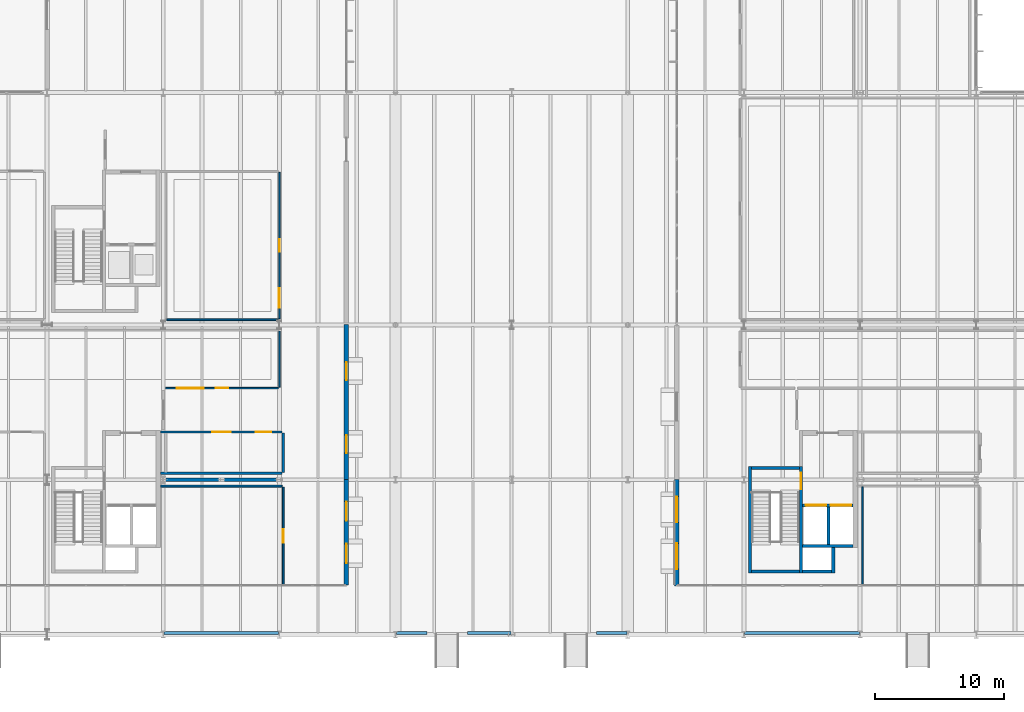
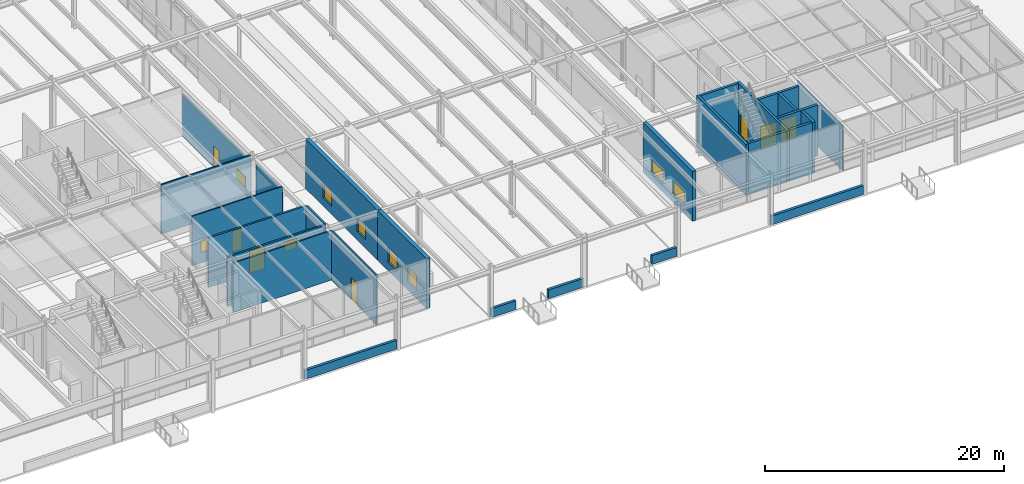
# One storey, part 121 of 143: 28 walls, 9 windows, 7 doors, 16 openings.
"""IFC4 building model written with IfcOpenShell, lengths in metres."""

import ifcopenshell
import ifcopenshell.guid

model = None  # the IFC model being written
_history = None  # IfcOwnerHistory: only IFC2X3 demands one
_inside = {}  # id of a spatial element -> (the spatial element, [elements in it])
_under = {}  # id of a project, library or spatial element -> (it, [spatial elements below it])
_declared = {}  # id of a project -> (the project, [libraries it declares])
_typed = {}  # id of a type object -> (the type object, [elements of that type])
_made_of = {}  # id of a material, layer set ... -> (it, [elements and type objects made of it])


def new_model(schema):
    """Start an empty IFC model of exactly this schema.

    Asked for "IFC4X3", IfcOpenShell would pick the latest addendum, in which some entities
    have other attributes; the version numbers below select the first issue.
    IFC2X3 requires an IfcOwnerHistory on every rooted entity: one is made here for all.
    """
    global model, _history
    if schema == "IFC4X3":
        model = ifcopenshell.file(schema_version=(4, 3, 0, 0))
    else:
        model = ifcopenshell.file(schema=schema)
    _inside.clear()
    _under.clear()
    _declared.clear()
    _typed.clear()
    _made_of.clear()
    _history = None
    if model.schema == "IFC2X3":
        org = make("IfcOrganization", Name="unknown")
        user = make(
            "IfcPersonAndOrganization",
            ThePerson=make("IfcPerson", FamilyName="unknown"),
            TheOrganization=org,
        )
        app = make(
            "IfcApplication",
            ApplicationDeveloper=org,
            Version="unknown",
            ApplicationFullName="unknown",
            ApplicationIdentifier="unknown",
        )
        _history = make(
            "IfcOwnerHistory",
            OwningUser=user,
            OwningApplication=app,
            ChangeAction="ADDED",
            CreationDate=0,
        )
    return model


def make(cls, **values):
    """One entity of the class cls with the attributes given. An attribute that is None is left unset."""
    return model.create_entity(
        cls, **{name: value for name, value in values.items() if value is not None}
    )


def rooted(cls, **values):
    """An entity with a GlobalId (a new one), such as an element, a storey or a relation."""
    return make(cls, GlobalId=ifcopenshell.guid.new(), OwnerHistory=_history, **values)


def si_unit(unit_type, name, prefix=None):
    """IfcSIUnit, for example si_unit("LENGTHUNIT", "METRE", prefix="MILLI")."""
    return make("IfcSIUnit", UnitType=unit_type, Prefix=prefix, Name=name)


def assignment(units):
    """IfcUnitAssignment: the units of a project."""
    return None if units is None else make("IfcUnitAssignment", Units=units)


def point(xyz):
    """IfcCartesianPoint."""
    return None if xyz is None else make("IfcCartesianPoint", Coordinates=xyz)


def direction(xyz):
    """IfcDirection."""
    return None if xyz is None else make("IfcDirection", DirectionRatios=xyz)


def frame(location, z_axis=None, x_axis=None):
    """IfcAxis2Placement3D, a coordinate frame: its origin and axes. An axis left out is left unset."""
    return make(
        "IfcAxis2Placement3D",
        Location=point(location),
        Axis=direction(z_axis),
        RefDirection=direction(x_axis),
    )


def frame_2d(location, x_axis=None):
    """IfcAxis2Placement2D, a coordinate frame in the plane: its origin and x axis."""
    return make(
        "IfcAxis2Placement2D", Location=point(location), RefDirection=direction(x_axis)
    )


def origin():
    """The frame at (0, 0, 0) with its axes left unset."""
    return frame((0.0, 0.0, 0.0))


def place(relative_to, where):
    """IfcLocalPlacement: puts the frame where relative to a parent placement (None: the world)."""
    return make(
        "IfcLocalPlacement", PlacementRelTo=relative_to, RelativePlacement=where
    )


def context(
    kind, dimensions, precision=None, world=None, true_north=None, identifier=None
):
    """IfcGeometricRepresentationContext, for example the 3D "Model" context."""
    return make(
        "IfcGeometricRepresentationContext",
        ContextIdentifier=identifier,
        ContextType=kind,
        CoordinateSpaceDimension=dimensions,
        Precision=precision,
        WorldCoordinateSystem=world,
        TrueNorth=true_north,
    )


def subcontext(parent, identifier, kind, view, scale=None):
    """IfcGeometricRepresentationSubContext, for example "Body" below "Model"."""
    return make(
        "IfcGeometricRepresentationSubContext",
        ContextIdentifier=identifier,
        ContextType=kind,
        ParentContext=parent,
        TargetScale=scale,
        TargetView=view,
    )


def project(units=None, contexts=None):
    """IfcProject with its units and contexts."""
    return rooted(
        "IfcProject",
        Name="project",
        RepresentationContexts=contexts,
        UnitsInContext=assignment(units),
    )


def spatial(cls, under=None, at=None, **own):
    """A site, building, storey or space (cls), placed at a placement, below another one or the project."""
    s = rooted(cls, ObjectPlacement=at, **own)
    if under is not None:
        _under.setdefault(under.id(), (under, []))[1].append(s)
    return s


def profile(cls, at=None, kind="AREA", **sizes):
    """A parametric profile (cls). Its sizes go by their IFC names, for example OverallWidth=200.0."""
    return make(cls, ProfileType=kind, Position=at, **sizes)


def rectangle(**sizes):
    """IfcRectangleProfileDef."""
    return profile("IfcRectangleProfileDef", **sizes)


def extrude(swept, where, along, depth):
    """IfcExtrudedAreaSolid: the profile swept, set in the frame where, extruded along a direction by depth."""
    return make(
        "IfcExtrudedAreaSolid",
        SweptArea=swept,
        Position=where,
        ExtrudedDirection=direction(along),
        Depth=depth,
    )


def shape(context_of_items, identifier, shape_type, items):
    """IfcShapeRepresentation: the items that make up one representation, for example the "Body"."""
    return make(
        "IfcShapeRepresentation",
        ContextOfItems=context_of_items,
        RepresentationIdentifier=identifier,
        RepresentationType=shape_type,
        Items=items,
    )


def material(Name=None, Category=None):
    """IfcMaterial."""
    return make("IfcMaterial", Name=Name, Category=Category)


def layer(
    of_material, thickness, ventilated=None, Name=None, Category=None, Priority=None
):
    """IfcMaterialLayer: one layer of a wall or slab, of a material (None: an air gap)."""
    return make(
        "IfcMaterialLayer",
        Material=of_material,
        LayerThickness=thickness,
        IsVentilated=ventilated,
        Name=Name,
        Category=Category,
        Priority=Priority,
    )


def layer_set(layers, Name=None):
    """IfcMaterialLayerSet."""
    return make("IfcMaterialLayerSet", MaterialLayers=layers, LayerSetName=Name)


def made_of(thing, what):
    """Note that an element or type object is made of a material, layer set ...; save() writes the relation."""
    if what is not None:
        _made_of.setdefault(what.id(), (what, []))[1].append(thing)
    return thing


def type_object(cls, material=None, **own):
    """A type object (cls), such as IfcWallType, which elements share."""
    return made_of(rooted(cls, **own), material)


def element(
    cls,
    number,
    at=None,
    inside=None,
    cuts=None,
    type_object=None,
    material=None,
    context=None,
    identifier="Body",
    shape_type=None,
    held_by="IfcProductDefinitionShape",
    body=None,
    shapes=None,
    **own,
):
    """One element of the class cls, such as IfcWall. Its Tag is "e" and its number.

    at: its placement. inside: the storey or other place that contains it. cuts: it is an
    opening in that element (IfcRelVoidsElement). A single representation is given by context,
    identifier, shape_type and body (its items); several are given by shapes. held_by: the class
    of the entity that holds the representations. save() writes the other relations.
    """
    e = rooted(cls, Tag="e%d" % number, ObjectPlacement=at, **own)
    if body is not None:
        shapes = [shape(context, identifier, shape_type, body)]
    if shapes is not None:
        e.Representation = make(held_by, Representations=shapes)
    if inside is not None:
        _inside.setdefault(inside.id(), (inside, []))[1].append(e)
    if cuts is not None:
        rooted(
            "IfcRelVoidsElement", RelatingBuildingElement=cuts, RelatedOpeningElement=e
        )
    if type_object is not None:
        _typed.setdefault(type_object.id(), (type_object, []))[1].append(e)
    return made_of(e, material)


def fill(opening, filler):
    """IfcRelFillsElement: the door or window that sits in an opening."""
    return rooted(
        "IfcRelFillsElement",
        RelatingOpeningElement=opening,
        RelatedBuildingElement=filler,
    )


def aggregate(whole, parts):
    """IfcRelAggregates: a whole, such as a stair, and the parts it consists of."""
    return rooted("IfcRelAggregates", RelatingObject=whole, RelatedObjects=parts)


def save(model, path):
    """Write the relations noted so far, then the file.

    IfcRelAggregates (storeys below a building ...), IfcRelContainedInSpatialStructure (elements
    in a storey), IfcRelDefinesByType, IfcRelAssociatesMaterial and IfcRelDeclares: one each for
    every whole, place, type object, material and project.
    """
    for whole, parts in _under.values():
        aggregate(whole, parts)
    for where, things in _inside.values():
        rooted(
            "IfcRelContainedInSpatialStructure",
            RelatedElements=things,
            RelatingStructure=where,
        )
    for kind, things in _typed.values():
        rooted("IfcRelDefinesByType", RelatedObjects=things, RelatingType=kind)
    for what, things in _made_of.values():
        rooted("IfcRelAssociatesMaterial", RelatedObjects=things, RelatingMaterial=what)
    for by, libraries in _declared.values():
        rooted("IfcRelDeclares", RelatingContext=by, RelatedDefinitions=libraries)
    model.write(path)


model = new_model("IFC4")

# Units and contexts
model_context = context("Model", 3, precision=1e-05, world=origin(), true_north=direction((0.0, 1.0)))
body_context = subcontext(model_context, "Body", "Model", "MODEL_VIEW")
ifc_project = project(units=[si_unit("LENGTHUNIT", "METRE"), si_unit("AREAUNIT", "SQUARE_METRE"), si_unit("VOLUMEUNIT", "CUBIC_METRE"), si_unit("PLANEANGLEUNIT", "RADIAN"), si_unit("MASSUNIT", "GRAM", prefix="KILO")], contexts=[model_context])

# Site, building, storey
site_placement = place(None, origin())
site = spatial("IfcSite", under=ifc_project, at=site_placement, CompositionType="ELEMENT")
building_placement = place(site_placement, origin())
building = spatial("IfcBuilding", under=site, at=building_placement, Name="Montelvaro Courts of Justice", CompositionType="ELEMENT")
storey_placement = place(building_placement, origin())
storey = spatial("IfcBuildingStorey", under=building, at=storey_placement, Name="L00", CompositionType="ELEMENT", Elevation=0.0)

# Wall, opening, door
ifc_material_1 = material(Name="Gypsum board on metal stud")
ifc_layer_1 = layer(ifc_material_1, 0.14990234375)
ifc_layer_set_1 = layer_set([ifc_layer_1], Name="Gypsum board on metal stud")
wall_type_1 = type_object("IfcWallType", Name="ChambersPartition_150", PredefinedType="PARTITIONING", material=ifc_layer_set_1)
wall_1_placement = place(storey_placement, frame((72.300048828125, 11.419921875, 0.0), z_axis=(0.0, 0.0, 1.0), x_axis=(0.0, -1.0, 0.0)))
wall_1 = element("IfcWall", 1, at=wall_1_placement, inside=storey, type_object=wall_type_1, Name="Interior Partition IW-04 (L00)", PredefinedType="PARTITIONING", context=body_context, shape_type="SweptSolid", body=[
    extrude(rectangle(XDim=7.544921875, YDim=0.14990234375, at=frame_2d((3.7724609375, 0.0))), origin(), (0.0, 0.0, 1.0), 5.0400390625),
])
opening_1_placement = place(wall_1_placement, frame((3.248046875, 0.0, 0.0)))
opening_1 = element("IfcOpeningElement", 2, at=opening_1_placement, cuts=wall_1, Name="Opening D-L00-046", PredefinedType="OPENING", context=body_context, shape_type="SweptSolid", body=[
    extrude(rectangle(XDim=1.050048828125, YDim=2.25, at=frame_2d((0.52490234375, 1.125))), frame((0.0, 0.08984375, 0.0), z_axis=(0.0, -1.0, 0.0), x_axis=(1.0, 0.0, 0.0)), (0.0, 0.0, 1.0), 0.1796875),
])
ifc_material_2 = material(Name="Acoustic oak timber veneer", Category="wood")
door_type_1 = type_object("IfcDoorType", Name="ChamberDoor_105x225", OperationType="NOTDEFINED", PredefinedType="DOOR", material=ifc_material_2)
door_1_placement = place(opening_1_placement, origin())
door_1 = element("IfcDoor", 3, at=door_1_placement, inside=storey, type_object=door_type_1, Name="Interior Door D-L00-046 (Public Cafe and Dining Room)", OperationType="SINGLE_SWING_RIGHT", OverallHeight=2.25, OverallWidth=1.050048828125, PredefinedType="DOOR", context=body_context, shape_type="SweptSolid", body=[
    extrude(rectangle(XDim=1.050048828125, YDim=2.25, at=frame_2d((0.52490234375, 1.125))), frame((0.0, 0.02490234375, 0.0), z_axis=(0.0, -1.0, 0.0), x_axis=(1.0, 0.0, 0.0)), (0.0, 0.0, 1.0), 0.050048828125),
])
fill(opening_1, door_1)

# Wall
wall_2_placement = place(storey_placement, frame((62.794921875, 11.5, 0.0), z_axis=(0.0, 0.0, 1.0), x_axis=(1.0, 0.0, 0.0)))
element("IfcWall", 4, at=wall_2_placement, inside=storey, type_object=wall_type_1, Name="Interior Partition IW-04 (L00)", PredefinedType="PARTITIONING", context=body_context, shape_type="SweptSolid", body=[
    extrude(rectangle(XDim=9.425048828125, YDim=0.14990234375, at=frame_2d((4.71240234375, 0.0))), origin(), (0.0, 0.0, 1.0), 5.0400390625),
])

# Wall, openings, door, window
ifc_material_3 = material(Name="Fire-rated gypsum and steel stud", Category="steel")
ifc_layer_2 = layer(ifc_material_3, 0.179931640625)
ifc_layer_set_2 = layer_set([ifc_layer_2], Name="Fire-rated gypsum and steel stud")
wall_type_2 = type_object("IfcWallType", Name="CorridorFireWall_180", PredefinedType="PARTITIONING", material=ifc_layer_set_2)
wall_3_placement = place(storey_placement, frame((62.794921875, 15.699951171875, 0.0), z_axis=(0.0, 0.0, 1.0), x_axis=(1.0, 0.0, 0.0)))
wall_3 = element("IfcWall", 5, at=wall_3_placement, inside=storey, type_object=wall_type_2, Name="Interior Partition IW-02 (L00)", PredefinedType="PARTITIONING", context=body_context, shape_type="SweptSolid", body=[
    extrude(rectangle(XDim=9.425048828125, YDim=0.179931640625, at=frame_2d((4.71240234375, 0.0))), origin(), (0.0, 0.0, 1.0), 5.0400390625),
])
opening_2_placement = place(wall_3_placement, frame((3.987060546875, 0.0, 0.0)))
opening_2 = element("IfcOpeningElement", 6, at=opening_2_placement, cuts=wall_3, Name="Opening D-L00-045", PredefinedType="OPENING", context=body_context, shape_type="SweptSolid", body=[
    extrude(rectangle(XDim=1.449951171875, YDim=2.300048828125, at=frame_2d((0.72509765625, 1.14990234375))), frame((0.0, 0.10498046875, 0.0), z_axis=(0.0, -1.0, 0.0), x_axis=(1.0, 0.0, 0.0)), (0.0, 0.0, 1.0), 0.209716796875),
])
opening_3_placement = place(wall_3_placement, frame((7.375, 0.0, 1.050048828125)))
opening_3 = element("IfcOpeningElement", 7, at=opening_3_placement, cuts=wall_3, Name="Opening WI-03", PredefinedType="OPENING", context=body_context, shape_type="SweptSolid", body=[
    extrude(rectangle(XDim=1.199951171875, YDim=1.0, at=frame_2d((0.60009765625, 0.5))), frame((0.0, 0.10498046875, 0.0), z_axis=(0.0, -1.0, 0.0), x_axis=(1.0, 0.0, 0.0)), (0.0, 0.0, 1.0), 0.209716796875),
])
ifc_material_4 = material(Name="Galvanised steel S355 security door", Category="steel")
door_type_2 = type_object("IfcDoorType", Name="ArchiveVaultDoor_145x230", OperationType="DOUBLE_DOOR_SINGLE_SWING", PredefinedType="DOOR", material=ifc_material_4)
door_2_placement = place(opening_2_placement, frame((1.449951171875, 0.0, 0.0), z_axis=(0.0, 0.0, 1.0), x_axis=(-1.0, 0.0, 0.0)))
door_2 = element("IfcDoor", 8, at=door_2_placement, inside=storey, type_object=door_type_2, Name="Interior Door D-L00-045 (Fire Command Centre)", OperationType="DOUBLE_DOOR_SINGLE_SWING", OverallHeight=2.300048828125, OverallWidth=1.449951171875, PredefinedType="DOOR", context=body_context, shape_type="SweptSolid", body=[
    extrude(rectangle(XDim=1.449951171875, YDim=2.300048828125, at=frame_2d((0.72509765625, 1.14990234375))), frame((0.0, 0.02490234375, 0.0), z_axis=(0.0, -1.0, 0.0), x_axis=(1.0, 0.0, 0.0)), (0.0, 0.0, 1.0), 0.050048828125),
])
fill(opening_2, door_2)
ifc_material_5 = material(Name="Acoustic laminated double glazing", Category="glass")
window_type_1 = type_object("IfcWindowType", Name="IntVision_120x100", PartitioningType="SINGLE_PANEL", PredefinedType="WINDOW", material=ifc_material_5)
window_1_placement = place(opening_3_placement, origin())
window_1 = element("IfcWindow", 9, at=window_1_placement, inside=storey, type_object=window_type_1, Name="Interior Vision Panel WI-027", OverallHeight=1.0, OverallWidth=1.199951171875, PartitioningType="SINGLE_PANEL", PredefinedType="WINDOW", context=body_context, shape_type="SweptSolid", body=[
    extrude(rectangle(XDim=1.199951171875, YDim=1.0, at=frame_2d((0.60009765625, 0.5))), frame((0.0, 0.030029296875, 0.0), z_axis=(0.0, -1.0, 0.0), x_axis=(1.0, 0.0, 0.0)), (0.0, 0.0, 1.0), 0.06005859375),
])
fill(opening_3, window_1)

# Walls
wall_4_placement = place(storey_placement, frame((72.300048828125, 15.6201171875, 0.0), z_axis=(0.0, 0.0, 1.0), x_axis=(0.0, -1.0, 0.0)))
element("IfcWall", 10, at=wall_4_placement, inside=storey, type_object=wall_type_2, Name="Interior Partition IW-02 (L00)", PredefinedType="PARTITIONING", context=body_context, shape_type="SweptSolid", body=[
    extrude(rectangle(XDim=3.0400390625, YDim=0.179931640625, at=frame_2d((1.52001953125, 0.0))), origin(), (0.0, 0.0, 1.0), 5.0400390625),
])
wall_5_placement = place(storey_placement, frame((72.219970703125, 12.5, 0.0), z_axis=(0.0, 0.0, 1.0), x_axis=(-1.0, 0.0, 0.0)))
element("IfcWall", 11, at=wall_5_placement, inside=storey, type_object=wall_type_2, Name="Interior Partition IW-02 (L00)", PredefinedType="PARTITIONING", context=body_context, shape_type="SweptSolid", body=[
    extrude(rectangle(XDim=9.425048828125, YDim=0.179931640625, at=frame_2d((4.71240234375, 0.0))), origin(), (0.0, 0.0, 1.0), 5.0400390625),
])

# Wall, openings, windows
ifc_material_6 = material(Name="Precast concrete C45/55", Category="concrete")
ifc_layer_3 = layer(ifc_material_6, 0.35009765625)
ifc_layer_set_3 = layer_set([ifc_layer_3], Name="Precast concrete C45/55")
wall_type_3 = type_object("IfcWallType", Name="ExtWall_Limestone_350", PredefinedType="SOLIDWALL", material=ifc_layer_set_3)
wall_6_placement = place(storey_placement, frame((77.199951171875, 3.840087890625, 0.0), z_axis=(0.0, 0.0, 1.0), x_axis=(0.0, 1.0, 0.0)))
wall_6 = element("IfcWall", 12, at=wall_6_placement, inside=storey, type_object=wall_type_3, Name="Exterior Facade Wall EW-03 (L00)", PredefinedType="SOLIDWALL", context=body_context, shape_type="SweptSolid", body=[
    extrude(rectangle(XDim=8.169921875, YDim=0.35009765625, at=frame_2d((4.0849609375, 0.0))), origin(), (0.0, 0.0, 1.0), 5.080078125),
])
opening_4_placement = place(wall_6_placement, frame((1.700927734375, 0.0, 0.85009765625)))
opening_4 = element("IfcOpeningElement", 13, at=opening_4_placement, cuts=wall_6, Name="Opening WE-16", PredefinedType="OPENING", context=body_context, shape_type="SweptSolid", body=[
    extrude(rectangle(XDim=1.5, YDim=1.5, at=frame_2d((0.75, 0.75))), frame((0.0, 0.18994140625, 0.0), z_axis=(0.0, -1.0, 0.0), x_axis=(1.0, 0.0, 0.0)), (0.0, 0.0, 1.0), 0.3798828125),
])
opening_5_placement = place(wall_6_placement, frame((4.968994140625, 0.0, 0.85009765625)))
opening_5 = element("IfcOpeningElement", 14, at=opening_5_placement, cuts=wall_6, Name="Opening WE-16", PredefinedType="OPENING", context=body_context, shape_type="SweptSolid", body=[
    extrude(rectangle(XDim=1.5, YDim=1.5, at=frame_2d((0.75, 0.75))), frame((0.0, 0.18994140625, 0.0), z_axis=(0.0, -1.0, 0.0), x_axis=(1.0, 0.0, 0.0)), (0.0, 0.0, 1.0), 0.3798828125),
])
ifc_material_7 = material(Name="Low-E solar control double glazing", Category="glass")
window_type_2 = type_object("IfcWindowType", Name="Win_Sq_150x150", PartitioningType="SINGLE_PANEL", PredefinedType="WINDOW", material=ifc_material_7)
window_2_placement = place(opening_4_placement, origin())
window_2 = element("IfcWindow", 15, at=window_2_placement, inside=storey, type_object=window_type_2, Name="Window W-L00-020", OverallHeight=1.5, OverallWidth=1.5, PartitioningType="SINGLE_PANEL", PredefinedType="WINDOW", context=body_context, shape_type="SweptSolid", body=[
    extrude(rectangle(XDim=1.5, YDim=1.5, at=frame_2d((0.75, 0.75))), frame((0.0, 0.030029296875, 0.0), z_axis=(0.0, -1.0, 0.0), x_axis=(1.0, 0.0, 0.0)), (0.0, 0.0, 1.0), 0.06005859375),
])
fill(opening_4, window_2)
window_3_placement = place(opening_5_placement, origin())
window_3 = element("IfcWindow", 16, at=window_3_placement, inside=storey, type_object=window_type_2, Name="Window W-L00-021", OverallHeight=1.5, OverallWidth=1.5, PartitioningType="SINGLE_PANEL", PredefinedType="WINDOW", context=body_context, shape_type="SweptSolid", body=[
    extrude(rectangle(XDim=1.5, YDim=1.5, at=frame_2d((0.75, 0.75))), frame((0.0, 0.030029296875, 0.0), z_axis=(0.0, -1.0, 0.0), x_axis=(1.0, 0.0, 0.0)), (0.0, 0.0, 1.0), 0.06005859375),
])
fill(opening_5, window_3)

wall_7_placement = place(storey_placement, frame((77.199951171875, 11.989990234375, 0.0), z_axis=(0.0, 0.0, 1.0), x_axis=(0.0, 1.0, 0.0)))
wall_7 = element("IfcWall", 17, at=wall_7_placement, inside=storey, type_object=wall_type_3, Name="Exterior Facade Wall EW-03 (L00)", PredefinedType="SOLIDWALL", context=body_context, shape_type="SweptSolid", body=[
    extrude(rectangle(XDim=12.050048828125, YDim=0.35009765625, at=frame_2d((6.02490234375, 0.0))), origin(), (0.0, 0.0, 1.0), 5.080078125),
])
opening_6_placement = place(wall_7_placement, frame((2.070068359375, 0.0, 0.85009765625)))
opening_6 = element("IfcOpeningElement", 18, at=opening_6_placement, cuts=wall_7, Name="Opening WE-17", PredefinedType="OPENING", context=body_context, shape_type="SweptSolid", body=[
    extrude(rectangle(XDim=1.39990234375, YDim=1.39990234375, at=frame_2d((0.699951171875, 0.699951171875))), frame((0.0, 0.18994140625, 0.0), z_axis=(0.0, -1.0, 0.0), x_axis=(1.0, 0.0, 0.0)), (0.0, 0.0, 1.0), 0.3798828125),
])
opening_7_placement = place(wall_7_placement, frame((7.735107421875, 0.0, 0.85009765625)))
opening_7 = element("IfcOpeningElement", 19, at=opening_7_placement, cuts=wall_7, Name="Opening WE-17", PredefinedType="OPENING", context=body_context, shape_type="SweptSolid", body=[
    extrude(rectangle(XDim=1.39990234375, YDim=1.39990234375, at=frame_2d((0.699951171875, 0.699951171875))), frame((0.0, 0.18994140625, 0.0), z_axis=(0.0, -1.0, 0.0), x_axis=(1.0, 0.0, 0.0)), (0.0, 0.0, 1.0), 0.3798828125),
])
window_type_3 = type_object("IfcWindowType", Name="Win_Sq_140x140", PartitioningType="SINGLE_PANEL", PredefinedType="WINDOW", material=ifc_material_7)
window_4_placement = place(opening_6_placement, origin())
window_4 = element("IfcWindow", 20, at=window_4_placement, inside=storey, type_object=window_type_3, Name="Window W-L00-022", OverallHeight=1.39990234375, OverallWidth=1.39990234375, PartitioningType="SINGLE_PANEL", PredefinedType="WINDOW", context=body_context, shape_type="SweptSolid", body=[
    extrude(rectangle(XDim=1.39990234375, YDim=1.39990234375, at=frame_2d((0.699951171875, 0.699951171875))), frame((0.0, 0.030029296875, 0.0), z_axis=(0.0, -1.0, 0.0), x_axis=(1.0, 0.0, 0.0)), (0.0, 0.0, 1.0), 0.06005859375),
])
fill(opening_6, window_4)
window_5_placement = place(opening_7_placement, origin())
window_5 = element("IfcWindow", 21, at=window_5_placement, inside=storey, type_object=window_type_3, Name="Window W-L00-023", OverallHeight=1.39990234375, OverallWidth=1.39990234375, PartitioningType="SINGLE_PANEL", PredefinedType="WINDOW", context=body_context, shape_type="SweptSolid", body=[
    extrude(rectangle(XDim=1.39990234375, YDim=1.39990234375, at=frame_2d((0.699951171875, 0.699951171875))), frame((0.0, 0.030029296875, 0.0), z_axis=(0.0, -1.0, 0.0), x_axis=(1.0, 0.0, 0.0)), (0.0, 0.0, 1.0), 0.06005859375),
])
fill(opening_7, window_5)

wall_8_placement = place(storey_placement, frame((102.800048828125, 12.010009765625, 0.0), z_axis=(0.0, 0.0, 1.0), x_axis=(0.0, -1.0, 0.0)))
wall_8 = element("IfcWall", 22, at=wall_8_placement, inside=storey, type_object=wall_type_3, Name="Exterior Facade Wall EW-03 (L00)", PredefinedType="SOLIDWALL", context=body_context, shape_type="SweptSolid", body=[
    extrude(rectangle(XDim=8.25, YDim=0.35009765625, at=frame_2d((4.125, 0.0))), origin(), (0.0, 0.0, 1.0), 5.080078125),
])
opening_8_placement = place(wall_8_placement, frame((1.31005859375, 0.0, 0.85009765625)))
opening_8 = element("IfcOpeningElement", 23, at=opening_8_placement, cuts=wall_8, Name="Opening WE-24", PredefinedType="OPENING", context=body_context, shape_type="SweptSolid", body=[
    extrude(rectangle(XDim=2.0, YDim=1.300048828125, at=frame_2d((1.0, 0.64990234375))), frame((0.0, 0.18994140625, 0.0), z_axis=(0.0, -1.0, 0.0), x_axis=(1.0, 0.0, 0.0)), (0.0, 0.0, 1.0), 0.3798828125),
])
opening_9_placement = place(wall_8_placement, frame((4.93994140625, 0.0, 0.85009765625)))
opening_9 = element("IfcOpeningElement", 24, at=opening_9_placement, cuts=wall_8, Name="Opening WE-24", PredefinedType="OPENING", context=body_context, shape_type="SweptSolid", body=[
    extrude(rectangle(XDim=2.0, YDim=1.300048828125, at=frame_2d((1.0, 0.64990234375))), frame((0.0, 0.18994140625, 0.0), z_axis=(0.0, -1.0, 0.0), x_axis=(1.0, 0.0, 0.0)), (0.0, 0.0, 1.0), 0.3798828125),
])
window_type_4 = type_object("IfcWindowType", Name="Win_Rect_200x130", PartitioningType="SINGLE_PANEL", PredefinedType="WINDOW", material=ifc_material_7)
window_6_placement = place(opening_8_placement, origin())
window_6 = element("IfcWindow", 25, at=window_6_placement, inside=storey, type_object=window_type_4, Name="Window W-L00-026", OverallHeight=1.300048828125, OverallWidth=2.0, PartitioningType="SINGLE_PANEL", PredefinedType="WINDOW", context=body_context, shape_type="SweptSolid", body=[
    extrude(rectangle(XDim=2.0, YDim=1.300048828125, at=frame_2d((1.0, 0.64990234375))), frame((0.0, 0.030029296875, 0.0), z_axis=(0.0, -1.0, 0.0), x_axis=(1.0, 0.0, 0.0)), (0.0, 0.0, 1.0), 0.06005859375),
])
fill(opening_8, window_6)
window_7_placement = place(opening_9_placement, origin())
window_7 = element("IfcWindow", 26, at=window_7_placement, inside=storey, type_object=window_type_4, Name="Window W-L00-027", OverallHeight=1.300048828125, OverallWidth=2.0, PartitioningType="SINGLE_PANEL", PredefinedType="WINDOW", context=body_context, shape_type="SweptSolid", body=[
    extrude(rectangle(XDim=2.0, YDim=1.300048828125, at=frame_2d((1.0, 0.64990234375))), frame((0.0, 0.030029296875, 0.0), z_axis=(0.0, -1.0, 0.0), x_axis=(1.0, 0.0, 0.0)), (0.0, 0.0, 1.0), 0.06005859375),
])
fill(opening_9, window_7)

# Wall, openings, window, door
ifc_layer_4 = layer(ifc_material_1, 0.1201171875)
ifc_layer_set_4 = layer_set([ifc_layer_4], Name="Gypsum board on metal stud")
wall_type_4 = type_object("IfcWallType", Name="OfficePartition_120", PredefinedType="PARTITIONING", material=ifc_layer_set_4)
wall_9_placement = place(storey_placement, frame((72.0, 35.820068359375, 0.0), z_axis=(0.0, 0.0, 1.0), x_axis=(0.0, -1.0, 0.0)))
wall_9 = element("IfcWall", 27, at=wall_9_placement, inside=storey, type_object=wall_type_4, Name="Interior Partition IW-05 (L00)", PredefinedType="PARTITIONING", context=body_context, shape_type="SweptSolid", body=[
    extrude(rectangle(XDim=11.340087890625, YDim=0.1201171875, at=frame_2d((5.669921875, 0.0))), origin(), (0.0, 0.0, 1.0), 4.2548828125),
])
opening_10_placement = place(wall_9_placement, frame((5.195068359375, 0.0, 0.0)))
opening_10 = element("IfcOpeningElement", 28, at=opening_10_placement, cuts=wall_9, Name="Opening D-L00-040", PredefinedType="OPENING", context=body_context, shape_type="SweptSolid", body=[
    extrude(rectangle(XDim=0.949951171875, YDim=2.14990234375, at=frame_2d((0.47509765625, 1.074951171875))), frame((0.0, 0.074951171875, 0.0), z_axis=(0.0, -1.0, 0.0), x_axis=(1.0, 0.0, 0.0)), (0.0, 0.0, 1.0), 0.14990234375),
])
opening_11_placement = place(wall_9_placement, frame((8.989990234375, 0.0, 1.050048828125)))
opening_11 = element("IfcOpeningElement", 29, at=opening_11_placement, cuts=wall_9, Name="Opening WI-02", PredefinedType="OPENING", context=body_context, shape_type="SweptSolid", body=[
    extrude(rectangle(XDim=1.5, YDim=1.10009765625, at=frame_2d((0.75, 0.550048828125))), frame((0.0, 0.074951171875, 0.0), z_axis=(0.0, -1.0, 0.0), x_axis=(1.0, 0.0, 0.0)), (0.0, 0.0, 1.0), 0.14990234375),
])
window_type_5 = type_object("IfcWindowType", Name="IntVision_150x110", PartitioningType="SINGLE_PANEL", PredefinedType="WINDOW", material=ifc_material_5)
window_8_placement = place(opening_11_placement, origin())
window_8 = element("IfcWindow", 30, at=window_8_placement, inside=storey, type_object=window_type_5, Name="Interior Vision Panel WI-022", OverallHeight=1.10009765625, OverallWidth=1.5, PartitioningType="SINGLE_PANEL", PredefinedType="WINDOW", context=body_context, shape_type="SweptSolid", body=[
    extrude(rectangle(XDim=1.5, YDim=1.10009765625, at=frame_2d((0.75, 0.550048828125))), frame((0.0, 0.030029296875, 0.0), z_axis=(0.0, -1.0, 0.0), x_axis=(1.0, 0.0, 0.0)), (0.0, 0.0, 1.0), 0.06005859375),
])
fill(opening_11, window_8)
door_type_3 = type_object("IfcDoorType", Name="OfficeDoor_095x215", OperationType="NOTDEFINED", PredefinedType="DOOR", material=ifc_material_2)
door_3_placement = place(opening_10_placement, origin())
door_3 = element("IfcDoor", 31, at=door_3_placement, inside=storey, type_object=door_type_3, Name="Interior Door D-L00-040 (Public Legal Catalogue Room)", OperationType="SINGLE_SWING_LEFT", OverallHeight=2.14990234375, OverallWidth=0.949951171875, PredefinedType="DOOR", context=body_context, shape_type="SweptSolid", body=[
    extrude(rectangle(XDim=0.949951171875, YDim=2.14990234375, at=frame_2d((0.47509765625, 1.074951171875))), frame((0.0, 0.02490234375, 0.0), z_axis=(0.0, -1.0, 0.0), x_axis=(1.0, 0.0, 0.0)), (0.0, 0.0, 1.0), 0.050048828125),
])
fill(opening_10, door_3)

# Walls
wall_10_placement = place(storey_placement, frame((71.919921875, 24.39990234375, 0.0), z_axis=(0.0, 0.0, 1.0), x_axis=(-1.0, 0.0, 0.0)))
element("IfcWall", 32, at=wall_10_placement, inside=storey, type_object=wall_type_4, Name="Interior Partition IW-05 (L00)", PredefinedType="PARTITIONING", context=body_context, shape_type="SweptSolid", body=[
    extrude(rectangle(XDim=8.639892578125, YDim=0.1201171875, at=frame_2d((4.31982421875, 0.0))), origin(), (0.0, 0.0, 1.0), 5.0400390625),
])
wall_11_placement = place(storey_placement, frame((72.0, 23.52001953125, 0.0), z_axis=(0.0, 0.0, 1.0), x_axis=(0.0, -1.0, 0.0)))
element("IfcWall", 33, at=wall_11_placement, inside=storey, type_object=wall_type_4, Name="Interior Partition IW-05 (L00)", PredefinedType="PARTITIONING", context=body_context, shape_type="SweptSolid", body=[
    extrude(rectangle(XDim=4.340087890625, YDim=0.1201171875, at=frame_2d((2.169921875, 0.0))), origin(), (0.0, 0.0, 1.0), 4.5849609375),
])

# Wall, openings, window, door
wall_12_placement = place(storey_placement, frame((71.919921875, 19.10009765625, 0.0), z_axis=(0.0, 0.0, 1.0), x_axis=(-1.0, 0.0, 0.0)))
wall_12 = element("IfcWall", 34, at=wall_12_placement, inside=storey, type_object=wall_type_4, Name="Interior Partition IW-05 (L00)", PredefinedType="PARTITIONING", context=body_context, shape_type="SweptSolid", body=[
    extrude(rectangle(XDim=8.739990234375, YDim=0.1201171875, at=frame_2d((4.3701171875, 0.0))), origin(), (0.0, 0.0, 1.0), 5.0400390625),
])
opening_12_placement = place(wall_12_placement, frame((3.89501953125, 0.0, 0.0)))
opening_12 = element("IfcOpeningElement", 35, at=opening_12_placement, cuts=wall_12, Name="Opening D-L00-047", PredefinedType="OPENING", context=body_context, shape_type="SweptSolid", body=[
    extrude(rectangle(XDim=0.949951171875, YDim=2.14990234375, at=frame_2d((0.47509765625, 1.074951171875))), frame((0.0, 0.074951171875, 0.0), z_axis=(0.0, -1.0, 0.0), x_axis=(1.0, 0.0, 0.0)), (0.0, 0.0, 1.0), 0.14990234375),
])
opening_13_placement = place(wall_12_placement, frame((5.7900390625, 0.0, 1.050048828125)))
opening_13 = element("IfcOpeningElement", 36, at=opening_13_placement, cuts=wall_12, Name="Opening WI-04", PredefinedType="OPENING", context=body_context, shape_type="SweptSolid", body=[
    extrude(rectangle(XDim=2.10009765625, YDim=1.199951171875, at=frame_2d((1.050048828125, 0.60009765625))), frame((0.0, 0.074951171875, 0.0), z_axis=(0.0, -1.0, 0.0), x_axis=(1.0, 0.0, 0.0)), (0.0, 0.0, 1.0), 0.14990234375),
])
window_type_6 = type_object("IfcWindowType", Name="IntVision_210x120", PartitioningType="SINGLE_PANEL", PredefinedType="WINDOW", material=ifc_material_5)
window_9_placement = place(opening_13_placement, origin())
window_9 = element("IfcWindow", 37, at=window_9_placement, inside=storey, type_object=window_type_6, Name="Interior Vision Panel WI-028", OverallHeight=1.199951171875, OverallWidth=2.10009765625, PartitioningType="SINGLE_PANEL", PredefinedType="WINDOW", context=body_context, shape_type="SweptSolid", body=[
    extrude(rectangle(XDim=2.10009765625, YDim=1.199951171875, at=frame_2d((1.050048828125, 0.60009765625))), frame((0.0, 0.030029296875, 0.0), z_axis=(0.0, -1.0, 0.0), x_axis=(1.0, 0.0, 0.0)), (0.0, 0.0, 1.0), 0.06005859375),
])
fill(opening_13, window_9)
door_4_placement = place(opening_12_placement, frame((0.949951171875, 0.0, 0.0), z_axis=(0.0, 0.0, 1.0), x_axis=(-1.0, 0.0, 0.0)))
door_4 = element("IfcDoor", 38, at=door_4_placement, inside=storey, type_object=door_type_3, Name="Interior Door D-L00-047 (Duty Magistrates' Suite L00)", OperationType="SINGLE_SWING_LEFT", OverallHeight=2.14990234375, OverallWidth=0.949951171875, PredefinedType="DOOR", context=body_context, shape_type="SweptSolid", body=[
    extrude(rectangle(XDim=0.949951171875, YDim=2.14990234375, at=frame_2d((0.47509765625, 1.074951171875))), frame((0.0, 0.02490234375, 0.0), z_axis=(0.0, -1.0, 0.0), x_axis=(1.0, 0.0, 0.0)), (0.0, 0.0, 1.0), 0.050048828125),
])
fill(opening_12, door_4)

# Walls
wall_13_placement = place(storey_placement, frame((117.199951171875, 3.875, 0.0), z_axis=(0.0, 0.0, 1.0), x_axis=(0.0, 1.0, 0.0)))
element("IfcWall", 39, at=wall_13_placement, inside=storey, type_object=wall_type_4, Name="Interior Partition IW-05 (L00)", PredefinedType="PARTITIONING", context=body_context, shape_type="SweptSolid", body=[
    extrude(rectangle(XDim=7.570068359375, YDim=0.1201171875, at=frame_2d((3.78515625, 0.0))), origin(), (0.0, 0.0, 1.0), 4.635009765625),
])
ifc_material_8 = material(Name="White mineral precast concrete C45/55", Category="concrete")
ifc_layer_5 = layer(ifc_material_8, 0.239990234375)
ifc_layer_set_5 = layer_set([ifc_layer_5], Name="White mineral precast concrete C45/55")
wall_type_5 = type_object("IfcWallType", Name="ParapetWall_240", PredefinedType="PARAPET", material=ifc_layer_set_5)
wall_14_placement = place(storey_placement, frame((63.06005859375, 0.1201171875, 0.0), z_axis=(0.0, 0.0, 1.0), x_axis=(1.0, 0.0, 0.0)))
element("IfcWall", 40, at=wall_14_placement, inside=storey, type_object=wall_type_5, Name="Roof Parapet PW-01 L00-065", PredefinedType="PARAPET", context=body_context, shape_type="SweptSolid", body=[
    extrude(rectangle(XDim=8.8798828125, YDim=0.239990234375, at=frame_2d((4.43994140625, 0.0))), origin(), (0.0, 0.0, 1.0), 0.89990234375),
])
wall_15_placement = place(storey_placement, frame((81.06005859375, 0.1201171875, 0.0), z_axis=(0.0, 0.0, 1.0), x_axis=(1.0, 0.0, 0.0)))
element("IfcWall", 41, at=wall_15_placement, inside=storey, type_object=wall_type_5, Name="Roof Parapet PW-01 L00-066", PredefinedType="PARAPET", context=body_context, shape_type="SweptSolid", body=[
    extrude(rectangle(XDim=2.3798828125, YDim=0.239990234375, at=frame_2d((1.18994140625, 0.0))), origin(), (0.0, 0.0, 1.0), 0.89990234375),
])
wall_16_placement = place(storey_placement, frame((86.56005859375, 0.1201171875, 0.0), z_axis=(0.0, 0.0, 1.0), x_axis=(1.0, 0.0, 0.0)))
element("IfcWall", 42, at=wall_16_placement, inside=storey, type_object=wall_type_5, Name="Roof Parapet PW-01 L00-067", PredefinedType="PARAPET", context=body_context, shape_type="SweptSolid", body=[
    extrude(rectangle(XDim=3.3798828125, YDim=0.239990234375, at=frame_2d((1.68994140625, 0.0))), origin(), (0.0, 0.0, 1.0), 0.89990234375),
])
wall_17_placement = place(storey_placement, frame((96.56005859375, 0.1201171875, 0.0), z_axis=(0.0, 0.0, 1.0), x_axis=(1.0, 0.0, 0.0)))
element("IfcWall", 43, at=wall_17_placement, inside=storey, type_object=wall_type_5, Name="Roof Parapet PW-01 L00-068", PredefinedType="PARAPET", context=body_context, shape_type="SweptSolid", body=[
    extrude(rectangle(XDim=2.3798828125, YDim=0.239990234375, at=frame_2d((1.18994140625, 0.0))), origin(), (0.0, 0.0, 1.0), 0.89990234375),
])
wall_18_placement = place(storey_placement, frame((108.06005859375, 0.1201171875, 0.0), z_axis=(0.0, 0.0, 1.0), x_axis=(1.0, 0.0, 0.0)))
element("IfcWall", 44, at=wall_18_placement, inside=storey, type_object=wall_type_5, Name="Roof Parapet PW-01 L00-069", PredefinedType="PARAPET", context=body_context, shape_type="SweptSolid", body=[
    extrude(rectangle(XDim=8.8798828125, YDim=0.239990234375, at=frame_2d((4.43994140625, 0.0))), origin(), (0.0, 0.0, 1.0), 0.89990234375),
])
ifc_material_9 = material(Name="Concrete C35/45", Category="concrete")
ifc_layer_6 = layer(ifc_material_9, 0.239990234375)
ifc_layer_set_6 = layer_set([ifc_layer_6], Name="Concrete C35/45")
wall_type_6 = type_object("IfcWallType", Name="ShaftWall_240", PredefinedType="SHEAR", material=ifc_layer_set_6)
wall_19_placement = place(storey_placement, frame((108.47998046875, 4.760009765625, 0.0), z_axis=(0.0, 0.0, 1.0), x_axis=(0.0, 1.0, 0.0)))
element("IfcWall", 45, at=wall_19_placement, inside=storey, type_object=wall_type_6, Name="Protected Stair Structural Wall ST-K2-W (L00)", PredefinedType="SHEAR", context=body_context, shape_type="SweptSolid", body=[
    extrude(rectangle(XDim=8.280029296875, YDim=0.239990234375, at=frame_2d((4.14013671875, 0.0))), origin(), (0.0, 0.0, 1.0), 5.2099609375),
])

# Wall, opening, door
wall_20_placement = place(storey_placement, frame((112.419921875, 4.760009765625, 0.0), z_axis=(0.0, 0.0, 1.0), x_axis=(0.0, 1.0, 0.0)))
wall_20 = element("IfcWall", 46, at=wall_20_placement, inside=storey, type_object=wall_type_6, Name="Protected Stair Structural Wall ST-K2-E (L00)", PredefinedType="SHEAR", context=body_context, shape_type="SweptSolid", body=[
    extrude(rectangle(XDim=8.280029296875, YDim=0.239990234375, at=frame_2d((4.14013671875, 0.0))), origin(), (0.0, 0.0, 1.0), 5.2099609375),
])
opening_14_placement = place(wall_20_placement, frame((6.489990234375, 0.0, 0.0)))
opening_14 = element("IfcOpeningElement", 47, at=opening_14_placement, cuts=wall_20, Name="Opening DS-L00-K2", PredefinedType="OPENING", context=body_context, shape_type="SweptSolid", body=[
    extrude(rectangle(XDim=1.300048828125, YDim=2.199951171875, at=frame_2d((0.64990234375, 1.10009765625))), frame((0.0, 0.134765625, 0.0), z_axis=(0.0, -1.0, 0.0), x_axis=(1.0, 0.0, 0.0)), (0.0, 0.0, 1.0), 0.269775390625),
])
door_type_4 = type_object("IfcDoorType", Name="StairFireDoor_130x220", OperationType="NOTDEFINED", PredefinedType="DOOR", material=ifc_material_4)
door_5_placement = place(opening_14_placement, frame((1.300048828125, 0.0, 0.0), z_axis=(0.0, 0.0, 1.0), x_axis=(-1.0, 0.0, 0.0)))
door_5 = element("IfcDoor", 48, at=door_5_placement, inside=storey, type_object=door_type_4, Name="Protected Stair Fire Door DS-L00-K2", OperationType="SINGLE_SWING_RIGHT", OverallHeight=2.199951171875, OverallWidth=1.300048828125, PredefinedType="DOOR", context=body_context, shape_type="SweptSolid", body=[
    extrude(rectangle(XDim=1.300048828125, YDim=2.199951171875, at=frame_2d((0.64990234375, 1.10009765625))), frame((0.0, 0.02490234375, 0.0), z_axis=(0.0, -1.0, 0.0), x_axis=(1.0, 0.0, 0.0)), (0.0, 0.0, 1.0), 0.050048828125),
])
fill(opening_14, door_5)

# Walls
for number, where, z_axis, x_axis, name in (
    (49, (108.60009765625, 4.8798828125, 0.0), (0.0, 0.0, 1.0), (1.0, 0.0, 0.0), "Protected Stair Structural Wall ST-K2-S (L00)"),
    (50, (108.60009765625, 12.919921875, 0.0), (0.0, 0.0, 1.0), (1.0, 0.0, 0.0), "Protected Stair Structural Wall ST-K2-N (L00)"),
):
    element("IfcWall", number, at=place(storey_placement, frame(where, z_axis=z_axis, x_axis=x_axis)), inside=storey, type_object=wall_type_6, Name=name, PredefinedType="SHEAR", context=body_context, shape_type="SweptSolid", body=[
        extrude(rectangle(XDim=3.699951171875, YDim=0.239990234375, at=frame_2d((1.85009765625, 0.0))), origin(), (0.0, 0.0, 1.0), 5.2099609375),
    ])

# Wall, openings, doors
wall_21_placement = place(storey_placement, frame((112.5400390625, 10.02001953125, 0.0), z_axis=(0.0, 0.0, 1.0), x_axis=(1.0, 0.0, 0.0)))
wall_21 = element("IfcWall", 51, at=wall_21_placement, inside=storey, type_object=wall_type_6, Name="Lift Shaft Bank Wall K2 (L00)", PredefinedType="SHEAR", context=body_context, shape_type="SweptSolid", body=[
    extrude(rectangle(XDim=3.89990234375, YDim=0.239990234375, at=frame_2d((1.949951171875, 0.0))), origin(), (0.0, 0.0, 1.0), 5.2099609375),
])
opening_15_placement = place(wall_21_placement, frame((0.235107421875, 0.0, 0.0)))
opening_15 = element("IfcOpeningElement", 52, at=opening_15_placement, cuts=wall_21, Name="Opening LD-LF-02-L00", PredefinedType="OPENING", context=body_context, shape_type="SweptSolid", body=[
    extrude(rectangle(XDim=1.60009765625, YDim=2.300048828125, at=frame_2d((0.800048828125, 1.14990234375))), frame((0.0, 0.134765625, 0.0), z_axis=(0.0, -1.0, 0.0), x_axis=(1.0, 0.0, 0.0)), (0.0, 0.0, 1.0), 0.269775390625),
])
opening_16_placement = place(wall_21_placement, frame((2.18505859375, 0.0, 0.0)))
opening_16 = element("IfcOpeningElement", 53, at=opening_16_placement, cuts=wall_21, Name="Opening LD-LJ-02-L00", PredefinedType="OPENING", context=body_context, shape_type="SweptSolid", body=[
    extrude(rectangle(XDim=1.60009765625, YDim=2.300048828125, at=frame_2d((0.800048828125, 1.14990234375))), frame((0.0, 0.134765625, 0.0), z_axis=(0.0, -1.0, 0.0), x_axis=(1.0, 0.0, 0.0)), (0.0, 0.0, 1.0), 0.269775390625),
])
door_type_5 = type_object("IfcDoorType", Name="LiftDoor_160x230", OperationType="DOUBLE_DOOR_SLIDING", PredefinedType="DOOR", material=ifc_material_4)
door_6_placement = place(opening_15_placement, origin())
door_6 = element("IfcDoor", 54, at=door_6_placement, inside=storey, type_object=door_type_5, Name="Lift Landing Sliding Door LD-LF-02-L00", OperationType="DOUBLE_DOOR_SLIDING", OverallHeight=2.300048828125, OverallWidth=1.60009765625, PredefinedType="DOOR", context=body_context, shape_type="SweptSolid", body=[
    extrude(rectangle(XDim=1.60009765625, YDim=2.300048828125, at=frame_2d((0.800048828125, 1.14990234375))), frame((0.0, 0.02490234375, 0.0), z_axis=(0.0, -1.0, 0.0), x_axis=(1.0, 0.0, 0.0)), (0.0, 0.0, 1.0), 0.050048828125),
])
fill(opening_15, door_6)
door_7_placement = place(opening_16_placement, origin())
door_7 = element("IfcDoor", 55, at=door_7_placement, inside=storey, type_object=door_type_5, Name="Lift Landing Sliding Door LD-LJ-02-L00", OperationType="DOUBLE_DOOR_SLIDING", OverallHeight=2.300048828125, OverallWidth=1.60009765625, PredefinedType="DOOR", context=body_context, shape_type="SweptSolid", body=[
    extrude(rectangle(XDim=1.60009765625, YDim=2.300048828125, at=frame_2d((0.800048828125, 1.14990234375))), frame((0.0, 0.02490234375, 0.0), z_axis=(0.0, -1.0, 0.0), x_axis=(1.0, 0.0, 0.0)), (0.0, 0.0, 1.0), 0.050048828125),
])
fill(opening_16, door_7)

# Walls
wall_22_placement = place(storey_placement, frame((112.5400390625, 6.8798828125, 0.0), z_axis=(0.0, 0.0, 1.0), x_axis=(1.0, 0.0, 0.0)))
element("IfcWall", 56, at=wall_22_placement, inside=storey, type_object=wall_type_6, Name="Lift Shaft Back Wall K2 (L00)", PredefinedType="SHEAR", context=body_context, shape_type="SweptSolid", body=[
    extrude(rectangle(XDim=3.89990234375, YDim=0.239990234375, at=frame_2d((1.949951171875, 0.0))), origin(), (0.0, 0.0, 1.0), 5.2099609375),
])
wall_23_placement = place(storey_placement, frame((114.550048828125, 7.0, 0.0), z_axis=(0.0, 0.0, 1.0), x_axis=(0.0, 1.0, 0.0)))
element("IfcWall", 57, at=wall_23_placement, inside=storey, type_object=wall_type_6, Name="Lift Shaft Divider Wall K2-LFD1 (L00)", PredefinedType="SHEAR", context=body_context, shape_type="SweptSolid", body=[
    extrude(rectangle(XDim=2.89990234375, YDim=0.239990234375, at=frame_2d((1.449951171875, 0.0))), origin(), (0.0, 0.0, 1.0), 5.2099609375),
])
wall_24_placement = place(storey_placement, frame((114.919921875, 4.760009765625, 0.0), z_axis=(0.0, 0.0, 1.0), x_axis=(0.0, 1.0, 0.0)))
element("IfcWall", 58, at=wall_24_placement, inside=storey, type_object=wall_type_6, Name="Service Riser East Shaft Wall K2 (L00)", PredefinedType="SHEAR", context=body_context, shape_type="SweptSolid", body=[
    extrude(rectangle(XDim=2.0, YDim=0.239990234375, at=frame_2d((1.0, 0.0))), origin(), (0.0, 0.0, 1.0), 5.2099609375),
])
wall_25_placement = place(storey_placement, frame((112.5400390625, 4.8798828125, 0.0), z_axis=(0.0, 0.0, 1.0), x_axis=(1.0, 0.0, 0.0)))
element("IfcWall", 59, at=wall_25_placement, inside=storey, type_object=wall_type_6, Name="Service Riser South Shaft Wall K2 (L00)", PredefinedType="SHEAR", context=body_context, shape_type="SweptSolid", body=[
    extrude(rectangle(XDim=2.260009765625, YDim=0.239990234375, at=frame_2d((1.1298828125, 0.0))), origin(), (0.0, 0.0, 1.0), 5.2099609375),
])
wall_26_placement = place(storey_placement, frame((63.008056640625, 12.0, 0.0), z_axis=(0.0, 0.0, 1.0), x_axis=(1.0, 0.0, 0.0)))
element("IfcWall", 60, at=wall_26_placement, inside=storey, type_object=wall_type_6, Name="Enclosed Braced Frame Structural Wall CBF1 (L00)", PredefinedType="SHEAR", context=body_context, shape_type="SweptSolid", body=[
    extrude(rectangle(XDim=8.76904296875, YDim=0.239990234375, at=frame_2d((4.384521484375, 0.0))), origin(), (0.0, 0.0, 1.0), 4.534912109375),
])

save(model, "model.ifc")
